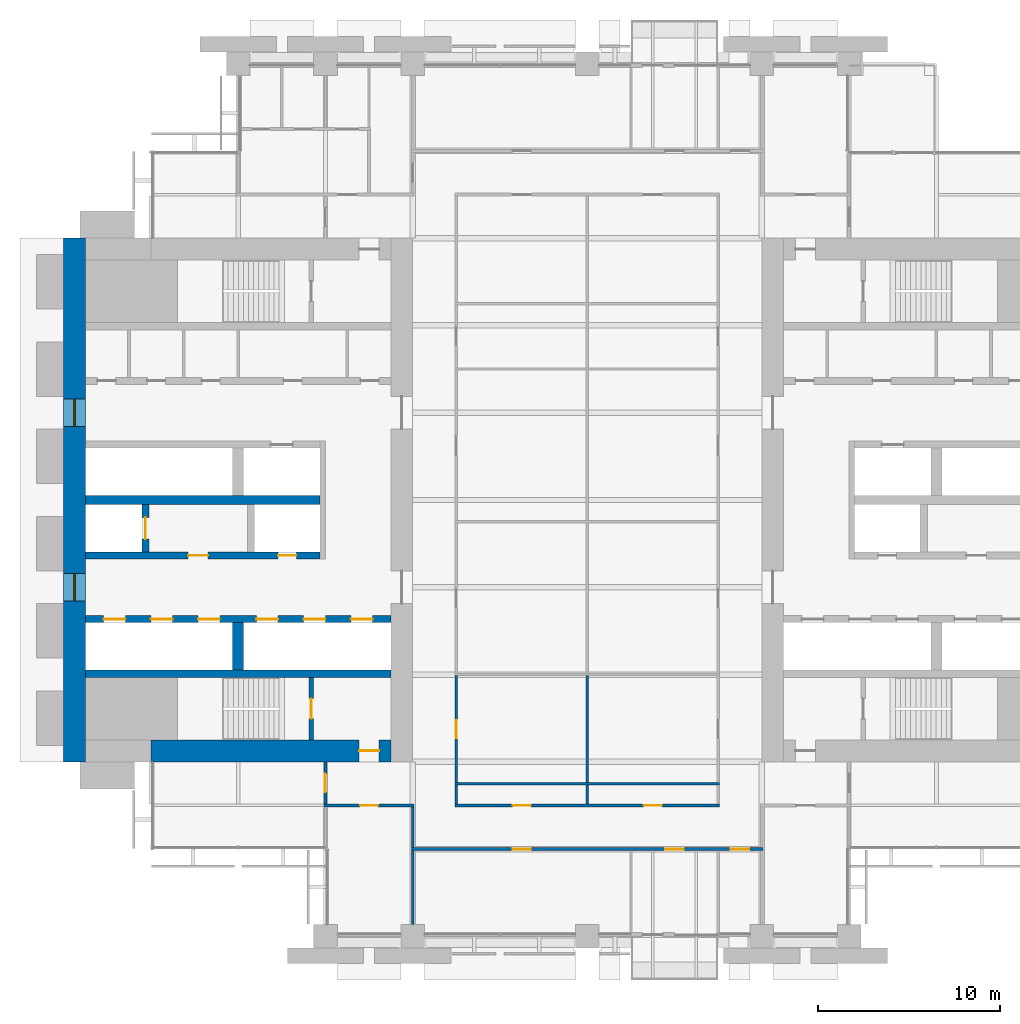
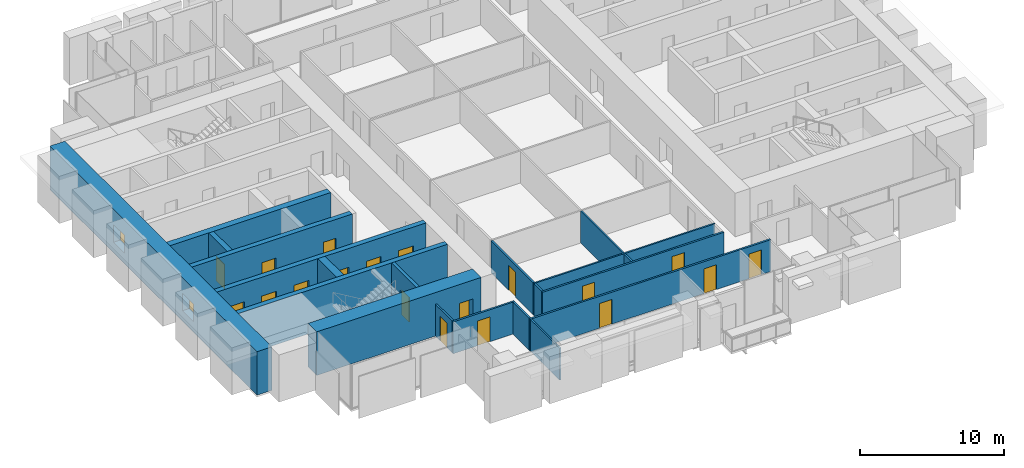
# One storey, part 9 of 15: 20 walls, 19 doors, 2 windows, 21 openings.
"""IFC4 building model written with IfcOpenShell, lengths in metres."""

from ifc_helpers import new_model, si_unit, direction, frame, frame_2d, origin, place, context, subcontext, project, spatial, rectangle, extrude, material, layer, layer_set, type_object, element, fill, save


model = new_model("IFC4")

# Units and contexts
model_context = context("Model", 3, precision=1e-05, world=origin(), true_north=direction((0.0, 1.0)))
body_context = subcontext(model_context, "Body", "Model", "MODEL_VIEW")
ifc_project = project(units=[si_unit("LENGTHUNIT", "METRE"), si_unit("AREAUNIT", "SQUARE_METRE"), si_unit("VOLUMEUNIT", "CUBIC_METRE"), si_unit("PLANEANGLEUNIT", "RADIAN"), si_unit("MASSUNIT", "GRAM", prefix="KILO")], contexts=[model_context])

# Site, building, storey
site_placement = place(None, origin())
site = spatial("IfcSite", under=ifc_project, at=site_placement, CompositionType="ELEMENT")
building_placement = place(site_placement, origin())
building = spatial("IfcBuilding", under=site, at=building_placement, Name="Baori Bourse Tower", CompositionType="ELEMENT")
storey_placement = place(building_placement, frame((0.0, 0.0, 83.0)))
storey = spatial("IfcBuildingStorey", under=building, at=storey_placement, Name="L18", CompositionType="ELEMENT", Elevation=83.0)

# Wall, openings, windows
ifc_material_1 = material(Name="Concrete f'c 70 MPa", Category="concrete")
ifc_layer_1 = layer(ifc_material_1, 1.199951171875)
ifc_layer_set_1 = layer_set([ifc_layer_1], Name="Core wall 1200 f'c 70")
wall_type_1 = type_object("IfcWallType", Name="Core wall 1200 f'c 70", PredefinedType="SHEAR", material=ifc_layer_set_1)
wall_1_placement = place(storey_placement, frame((0.60009765625, 9.60009765625, 0.0), z_axis=(0.0, 0.0, 1.0), x_axis=(0.0, 1.0, 0.0)))
wall_1 = element("IfcWall", 1, at=wall_1_placement, inside=storey, type_object=wall_type_1, Name="Core wall W01", PredefinedType="SHEAR", context=body_context, shape_type="SweptSolid", body=[
    extrude(rectangle(XDim=28.7998046875, YDim=1.199951171875, at=frame_2d((14.39990234375, 0.0))), origin(), (0.0, 0.0, 1.0), 3.699951171875),
])
opening_1_placement = place(wall_1_placement, frame((8.85009765625, 0.0, 0.89990234375)))
opening_1 = element("IfcOpeningElement", 2, at=opening_1_placement, cuts=wall_1, Name="Opening L18-KW101", PredefinedType="OPENING", context=body_context, shape_type="SweptSolid", body=[
    extrude(rectangle(XDim=1.5, YDim=1.5, at=frame_2d((0.75, 0.75))), frame((0.0, 0.60986328125, 0.0), z_axis=(0.0, -1.0, 0.0), x_axis=(1.0, 0.0, 0.0)), (0.0, 0.0, 1.0), 1.219970703125),
])
opening_2_placement = place(wall_1_placement, frame((18.449951171875, 0.0, 0.89990234375)))
opening_2 = element("IfcOpeningElement", 3, at=opening_2_placement, cuts=wall_1, Name="Opening L18-KW102", PredefinedType="OPENING", context=body_context, shape_type="SweptSolid", body=[
    extrude(rectangle(XDim=1.5, YDim=1.5, at=frame_2d((0.75, 0.75))), frame((0.0, 0.60986328125, 0.0), z_axis=(0.0, -1.0, 0.0), x_axis=(1.0, 0.0, 0.0)), (0.0, 0.0, 1.0), 1.219970703125),
])
ifc_material_2 = material(Name="Pale anodised aluminium", Category="aluminium")
window_type = type_object("IfcWindowType", Name="Lobby window 1500 x 1500", PartitioningType="SINGLE_PANEL", PredefinedType="WINDOW", material=ifc_material_2)
window_1_placement = place(opening_1_placement, origin())
window_1 = element("IfcWindow", 4, at=window_1_placement, inside=storey, type_object=window_type, Name="Outer wall window W L18 1", OverallHeight=1.5, OverallWidth=1.5, PartitioningType="SINGLE_PANEL", PredefinedType="WINDOW", context=body_context, shape_type="SweptSolid", body=[
    extrude(rectangle(XDim=1.5, YDim=1.5, at=frame_2d((0.75, 0.75))), frame((0.0, 0.030029296875, 0.0), z_axis=(0.0, -1.0, 0.0), x_axis=(1.0, 0.0, 0.0)), (0.0, 0.0, 1.0), 0.06005859375),
])
fill(opening_1, window_1)
window_2_placement = place(opening_2_placement, origin())
window_2 = element("IfcWindow", 5, at=window_2_placement, inside=storey, type_object=window_type, Name="Outer wall window W L18 2", OverallHeight=1.5, OverallWidth=1.5, PartitioningType="SINGLE_PANEL", PredefinedType="WINDOW", context=body_context, shape_type="SweptSolid", body=[
    extrude(rectangle(XDim=1.5, YDim=1.5, at=frame_2d((0.75, 0.75))), frame((0.0, 0.030029296875, 0.0), z_axis=(0.0, -1.0, 0.0), x_axis=(1.0, 0.0, 0.0)), (0.0, 0.0, 1.0), 0.06005859375),
])
fill(opening_2, window_2)

# Wall, opening, door
wall_2_placement = place(storey_placement, frame((18.0, 10.199951171875, 0.0), z_axis=(0.0, 0.0, 1.0), x_axis=(-1.0, 0.0, 0.0)))
wall_2 = element("IfcWall", 6, at=wall_2_placement, inside=storey, type_object=wall_type_1, Name="Core wall W03", PredefinedType="SHEAR", context=body_context, shape_type="SweptSolid", body=[
    extrude(rectangle(XDim=13.199951171875, YDim=1.199951171875, at=frame_2d((6.60009765625, 0.0))), origin(), (0.0, 0.0, 1.0), 3.699951171875),
])
opening_3_placement = place(wall_2_placement, frame((0.64990234375, 0.0, 0.0)))
opening_3 = element("IfcOpeningElement", 7, at=opening_3_placement, cuts=wall_2, Name="Opening L18-D102", PredefinedType="OPENING", context=body_context, shape_type="SweptSolid", body=[
    extrude(rectangle(XDim=1.10009765625, YDim=2.10009765625, at=frame_2d((0.550048828125, 1.050048828125))), frame((0.0, 0.60986328125, 0.0), z_axis=(0.0, -1.0, 0.0), x_axis=(1.0, 0.0, 0.0)), (0.0, 0.0, 1.0), 1.219970703125),
])
ifc_material_3 = material(Name="Painted steel door", Category="steel")
door_type_1 = type_object("IfcDoorType", Name="Stair door 1100", OperationType="SINGLE_SWING_LEFT", PredefinedType="DOOR", material=ifc_material_3)
door_1_placement = place(opening_3_placement, origin())
door_1 = element("IfcDoor", 8, at=door_1_placement, inside=storey, type_object=door_type_1, Name="Stair vestibule door A W L18", OperationType="SINGLE_SWING_LEFT", OverallHeight=2.10009765625, OverallWidth=1.10009765625, PredefinedType="DOOR", context=body_context, shape_type="SweptSolid", body=[
    extrude(rectangle(XDim=1.10009765625, YDim=2.10009765625, at=frame_2d((0.550048828125, 1.050048828125))), frame((0.0, 0.02490234375, 0.0), z_axis=(0.0, -1.0, 0.0), x_axis=(1.0, 0.0, 0.0)), (0.0, 0.0, 1.0), 0.050048828125),
])
fill(opening_3, door_1)

# Wall, openings, doors
ifc_material_4 = material(Name="Gypsum board partition")
ifc_layer_2 = layer(ifc_material_4, 0.14990234375)
ifc_layer_set_2 = layer_set([ifc_layer_2], Name="Corridor partition 150")
wall_type_2 = type_object("IfcWallType", Name="Corridor partition 150", PredefinedType="PARTITIONING", material=ifc_layer_set_2)
wall_3_placement = place(storey_placement, frame((19.125, 4.800048828125, 0.0), z_axis=(0.0, 0.0, 1.0), x_axis=(1.0, 0.0, 0.0)))
wall_3 = element("IfcWall", 9, at=wall_3_placement, inside=storey, type_object=wall_type_2, Name="Partition", PredefinedType="PARTITIONING", context=body_context, shape_type="SweptSolid", body=[
    extrude(rectangle(XDim=19.35009765625, YDim=0.14990234375, at=frame_2d((9.675048828125, 0.0))), origin(), (0.0, 0.0, 1.0), 2.70947265625),
])
opening_4_placement = place(wall_3_placement, frame((5.574951171875, 0.0, 0.0)))
opening_4 = element("IfcOpeningElement", 10, at=opening_4_placement, cuts=wall_3, Name="Opening L18-D01", PredefinedType="OPENING", context=body_context, shape_type="SweptSolid", body=[
    extrude(rectangle(XDim=1.0, YDim=2.10009765625, at=frame_2d((0.5, 1.050048828125))), frame((0.0, 0.0849609375, 0.0), z_axis=(0.0, -1.0, 0.0), x_axis=(1.0, 0.0, 0.0)), (0.0, 0.0, 1.0), 0.169921875),
])
opening_5_placement = place(wall_3_placement, frame((13.97509765625, 0.0, 0.0)))
opening_5 = element("IfcOpeningElement", 11, at=opening_5_placement, cuts=wall_3, Name="Opening L18-D02", PredefinedType="OPENING", context=body_context, shape_type="SweptSolid", body=[
    extrude(rectangle(XDim=1.0, YDim=2.10009765625, at=frame_2d((0.5, 1.050048828125))), frame((0.0, 0.0849609375, 0.0), z_axis=(0.0, -1.0, 0.0), x_axis=(1.0, 0.0, 0.0)), (0.0, 0.0, 1.0), 0.169921875),
])
opening_6_placement = place(wall_3_placement, frame((17.574951171875, 0.0, 0.0)))
opening_6 = element("IfcOpeningElement", 12, at=opening_6_placement, cuts=wall_3, Name="Opening L18-D03", PredefinedType="OPENING", context=body_context, shape_type="SweptSolid", body=[
    extrude(rectangle(XDim=1.0, YDim=2.10009765625, at=frame_2d((0.5, 1.050048828125))), frame((0.0, 0.0849609375, 0.0), z_axis=(0.0, -1.0, 0.0), x_axis=(1.0, 0.0, 0.0)), (0.0, 0.0, 1.0), 0.169921875),
])
ifc_material_5 = material(Name="Timber door leaf", Category="wood")
door_type_2 = type_object("IfcDoorType", Name="Door 1000 x 2100", OperationType="SINGLE_SWING_LEFT", PredefinedType="DOOR", material=ifc_material_5)
door_2_placement = place(opening_4_placement, origin())
door_2 = element("IfcDoor", 13, at=door_2_placement, inside=storey, type_object=door_type_2, Name="Door", OperationType="SINGLE_SWING_LEFT", OverallHeight=2.10009765625, OverallWidth=1.0, PredefinedType="DOOR", context=body_context, shape_type="SweptSolid", body=[
    extrude(rectangle(XDim=1.0, YDim=2.10009765625, at=frame_2d((0.5, 1.050048828125))), frame((0.0, 0.02490234375, 0.0), z_axis=(0.0, -1.0, 0.0), x_axis=(1.0, 0.0, 0.0)), (0.0, 0.0, 1.0), 0.050048828125),
])
fill(opening_4, door_2)
door_3_placement = place(opening_5_placement, origin())
door_3 = element("IfcDoor", 14, at=door_3_placement, inside=storey, type_object=door_type_2, Name="Door", OperationType="SINGLE_SWING_RIGHT", OverallHeight=2.10009765625, OverallWidth=1.0, PredefinedType="DOOR", context=body_context, shape_type="SweptSolid", body=[
    extrude(rectangle(XDim=1.0, YDim=2.10009765625, at=frame_2d((0.5, 1.050048828125))), frame((0.0, 0.02490234375, 0.0), z_axis=(0.0, -1.0, 0.0), x_axis=(1.0, 0.0, 0.0)), (0.0, 0.0, 1.0), 0.050048828125),
])
fill(opening_5, door_3)
door_4_placement = place(opening_6_placement, origin())
door_4 = element("IfcDoor", 15, at=door_4_placement, inside=storey, type_object=door_type_2, Name="Door", OperationType="SINGLE_SWING_RIGHT", OverallHeight=2.10009765625, OverallWidth=1.0, PredefinedType="DOOR", context=body_context, shape_type="SweptSolid", body=[
    extrude(rectangle(XDim=1.0, YDim=2.10009765625, at=frame_2d((0.5, 1.050048828125))), frame((0.0, 0.02490234375, 0.0), z_axis=(0.0, -1.0, 0.0), x_axis=(1.0, 0.0, 0.0)), (0.0, 0.0, 1.0), 0.050048828125),
])
fill(opening_6, door_4)

# Wall, opening, door
wall_4_placement = place(storey_placement, frame((14.324951171875, 7.199951171875, 0.0), z_axis=(0.0, 0.0, 1.0), x_axis=(1.0, 0.0, 0.0)))
wall_4 = element("IfcWall", 16, at=wall_4_placement, inside=storey, type_object=wall_type_2, Name="Partition", PredefinedType="PARTITIONING", context=body_context, shape_type="SweptSolid", body=[
    extrude(rectangle(XDim=4.949951171875, YDim=0.14990234375, at=frame_2d((2.47509765625, 0.0))), origin(), (0.0, 0.0, 1.0), 2.70947265625),
])
opening_7_placement = place(wall_4_placement, frame((1.97509765625, 0.0, 0.0)))
opening_7 = element("IfcOpeningElement", 17, at=opening_7_placement, cuts=wall_4, Name="Opening L18-D04", PredefinedType="OPENING", context=body_context, shape_type="SweptSolid", body=[
    extrude(rectangle(XDim=1.0, YDim=2.10009765625, at=frame_2d((0.5, 1.050048828125))), frame((0.0, 0.0849609375, 0.0), z_axis=(0.0, -1.0, 0.0), x_axis=(1.0, 0.0, 0.0)), (0.0, 0.0, 1.0), 0.169921875),
])
door_5_placement = place(opening_7_placement, origin())
door_5 = element("IfcDoor", 18, at=door_5_placement, inside=storey, type_object=door_type_2, Name="Door", OperationType="SINGLE_SWING_RIGHT", OverallHeight=2.10009765625, OverallWidth=1.0, PredefinedType="DOOR", context=body_context, shape_type="SweptSolid", body=[
    extrude(rectangle(XDim=1.0, YDim=2.10009765625, at=frame_2d((0.5, 1.050048828125))), frame((0.0, 0.02490234375, 0.0), z_axis=(0.0, -1.0, 0.0), x_axis=(1.0, 0.0, 0.0)), (0.0, 0.0, 1.0), 0.050048828125),
])
fill(opening_7, door_5)

# Wall, openings, doors
wall_5_placement = place(storey_placement, frame((21.52490234375, 7.199951171875, 0.0), z_axis=(0.0, 0.0, 1.0), x_axis=(1.0, 0.0, 0.0)))
wall_5 = element("IfcWall", 19, at=wall_5_placement, inside=storey, type_object=wall_type_2, Name="Partition", PredefinedType="PARTITIONING", context=body_context, shape_type="SweptSolid", body=[
    extrude(rectangle(XDim=14.550048828125, YDim=0.14990234375, at=frame_2d((7.27490234375, 0.0))), origin(), (0.0, 0.0, 1.0), 2.70947265625),
])
opening_8_placement = place(wall_5_placement, frame((3.175048828125, 0.0, 0.0)))
opening_8 = element("IfcOpeningElement", 20, at=opening_8_placement, cuts=wall_5, Name="Opening L18-D05", PredefinedType="OPENING", context=body_context, shape_type="SweptSolid", body=[
    extrude(rectangle(XDim=1.0, YDim=2.10009765625, at=frame_2d((0.5, 1.050048828125))), frame((0.0, 0.0849609375, 0.0), z_axis=(0.0, -1.0, 0.0), x_axis=(1.0, 0.0, 0.0)), (0.0, 0.0, 1.0), 0.169921875),
])
opening_9_placement = place(wall_5_placement, frame((10.375, 0.0, 0.0)))
opening_9 = element("IfcOpeningElement", 21, at=opening_9_placement, cuts=wall_5, Name="Opening L18-D06", PredefinedType="OPENING", context=body_context, shape_type="SweptSolid", body=[
    extrude(rectangle(XDim=1.0, YDim=2.10009765625, at=frame_2d((0.5, 1.050048828125))), frame((0.0, 0.0849609375, 0.0), z_axis=(0.0, -1.0, 0.0), x_axis=(1.0, 0.0, 0.0)), (0.0, 0.0, 1.0), 0.169921875),
])
door_6_placement = place(opening_8_placement, origin())
door_6 = element("IfcDoor", 22, at=door_6_placement, inside=storey, type_object=door_type_2, Name="Door", OperationType="SINGLE_SWING_RIGHT", OverallHeight=2.10009765625, OverallWidth=1.0, PredefinedType="DOOR", context=body_context, shape_type="SweptSolid", body=[
    extrude(rectangle(XDim=1.0, YDim=2.10009765625, at=frame_2d((0.5, 1.050048828125))), frame((0.0, 0.02490234375, 0.0), z_axis=(0.0, -1.0, 0.0), x_axis=(1.0, 0.0, 0.0)), (0.0, 0.0, 1.0), 0.050048828125),
])
fill(opening_8, door_6)
door_7_placement = place(opening_9_placement, origin())
door_7 = element("IfcDoor", 23, at=door_7_placement, inside=storey, type_object=door_type_2, Name="Door", OperationType="SINGLE_SWING_LEFT", OverallHeight=2.10009765625, OverallWidth=1.0, PredefinedType="DOOR", context=body_context, shape_type="SweptSolid", body=[
    extrude(rectangle(XDim=1.0, YDim=2.10009765625, at=frame_2d((0.5, 1.050048828125))), frame((0.0, 0.02490234375, 0.0), z_axis=(0.0, -1.0, 0.0), x_axis=(1.0, 0.0, 0.0)), (0.0, 0.0, 1.0), 0.050048828125),
])
fill(opening_9, door_7)

# Wall, opening, door
wall_6_placement = place(storey_placement, frame((14.39990234375, 7.27490234375, 0.0), z_axis=(0.0, 0.0, 1.0), x_axis=(0.0, 1.0, 0.0)))
wall_6 = element("IfcWall", 24, at=wall_6_placement, inside=storey, type_object=wall_type_2, Name="Partition", PredefinedType="PARTITIONING", context=body_context, shape_type="SweptSolid", body=[
    extrude(rectangle(XDim=2.3251953125, YDim=0.14990234375, at=frame_2d((1.16259765625, 0.0))), origin(), (0.0, 0.0, 1.0), 2.70947265625),
])
opening_10_placement = place(wall_6_placement, frame((0.66259765625, 0.0, 0.0)))
opening_10 = element("IfcOpeningElement", 25, at=opening_10_placement, cuts=wall_6, Name="Opening L18-D18", PredefinedType="OPENING", context=body_context, shape_type="SweptSolid", body=[
    extrude(rectangle(XDim=1.0, YDim=2.10009765625, at=frame_2d((0.5, 1.050048828125))), frame((0.0, 0.0849609375, 0.0), z_axis=(0.0, -1.0, 0.0), x_axis=(1.0, 0.0, 0.0)), (0.0, 0.0, 1.0), 0.169921875),
])
door_8_placement = place(opening_10_placement, origin())
door_8 = element("IfcDoor", 26, at=door_8_placement, inside=storey, type_object=door_type_2, Name="Door", OperationType="SINGLE_SWING_RIGHT", OverallHeight=2.10009765625, OverallWidth=1.0, PredefinedType="DOOR", context=body_context, shape_type="SweptSolid", body=[
    extrude(rectangle(XDim=1.0, YDim=2.10009765625, at=frame_2d((0.5, 1.050048828125))), frame((0.0, 0.02490234375, 0.0), z_axis=(0.0, -1.0, 0.0), x_axis=(1.0, 0.0, 0.0)), (0.0, 0.0, 1.0), 0.050048828125),
])
fill(opening_10, door_8)

# Walls
wall_7_placement = place(storey_placement, frame((19.199951171875, 4.875, 0.0), z_axis=(0.0, 0.0, 1.0), x_axis=(0.0, 1.0, 0.0)))
element("IfcWall", 27, at=wall_7_placement, inside=storey, type_object=wall_type_2, Name="Partition", PredefinedType="PARTITIONING", context=body_context, shape_type="SweptSolid", body=[
    extrude(rectangle(XDim=2.25, YDim=0.14990234375, at=frame_2d((1.125, 0.0))), origin(), (0.0, 0.0, 1.0), 2.70947265625),
])
wall_8_placement = place(storey_placement, frame((21.60009765625, 7.27490234375, 0.0), z_axis=(0.0, 0.0, 1.0), x_axis=(0.0, 1.0, 0.0)))
element("IfcWall", 28, at=wall_8_placement, inside=storey, type_object=wall_type_2, Name="Partition", PredefinedType="PARTITIONING", context=body_context, shape_type="SweptSolid", body=[
    extrude(rectangle(XDim=1.0625, YDim=0.14990234375, at=frame_2d((0.53125, 0.0))), origin(), (0.0, 0.0, 1.0), 2.70947265625),
])

# Wall, opening, door
wall_9_placement = place(storey_placement, frame((21.60009765625, 8.46240234375, 0.0), z_axis=(0.0, 0.0, 1.0), x_axis=(0.0, 1.0, 0.0)))
wall_9 = element("IfcWall", 29, at=wall_9_placement, inside=storey, type_object=wall_type_2, Name="Partition", PredefinedType="PARTITIONING", context=body_context, shape_type="SweptSolid", body=[
    extrude(rectangle(XDim=5.875, YDim=0.14990234375, at=frame_2d((2.9375, 0.0))), origin(), (0.0, 0.0, 1.0), 2.70947265625),
])
opening_11_placement = place(wall_9_placement, frame((2.4375, 0.0, 0.0)))
opening_11 = element("IfcOpeningElement", 30, at=opening_11_placement, cuts=wall_9, Name="Opening L18-D21", PredefinedType="OPENING", context=body_context, shape_type="SweptSolid", body=[
    extrude(rectangle(XDim=1.0, YDim=2.10009765625, at=frame_2d((0.5, 1.050048828125))), frame((0.0, 0.0849609375, 0.0), z_axis=(0.0, -1.0, 0.0), x_axis=(1.0, 0.0, 0.0)), (0.0, 0.0, 1.0), 0.169921875),
])
door_9_placement = place(opening_11_placement, origin())
door_9 = element("IfcDoor", 31, at=door_9_placement, inside=storey, type_object=door_type_2, Name="Door", OperationType="SINGLE_SWING_LEFT", OverallHeight=2.10009765625, OverallWidth=1.0, PredefinedType="DOOR", context=body_context, shape_type="SweptSolid", body=[
    extrude(rectangle(XDim=1.0, YDim=2.10009765625, at=frame_2d((0.5, 1.050048828125))), frame((0.0, 0.02490234375, 0.0), z_axis=(0.0, -1.0, 0.0), x_axis=(1.0, 0.0, 0.0)), (0.0, 0.0, 1.0), 0.050048828125),
])
fill(opening_11, door_9)

# Walls
ifc_material_6 = material(Name="Gypsum board partition")
ifc_layer_3 = layer(ifc_material_6, 0.125)
ifc_layer_set_3 = layer_set([ifc_layer_3], Name="Partition 125")
wall_type_3 = type_object("IfcWallType", Name="Partition 125", PredefinedType="PARTITIONING", material=ifc_layer_set_3)
wall_10_placement = place(storey_placement, frame((21.52490234375, 8.39990234375, 0.0), z_axis=(0.0, 0.0, 1.0), x_axis=(1.0, 0.0, 0.0)))
element("IfcWall", 32, at=wall_10_placement, inside=storey, type_object=wall_type_3, Name="Partition", PredefinedType="PARTITIONING", context=body_context, shape_type="SweptSolid", body=[
    extrude(rectangle(XDim=14.550048828125, YDim=0.125, at=frame_2d((7.27490234375, 0.0))), origin(), (0.0, 0.0, 1.0), 2.70947265625),
])
wall_11_placement = place(storey_placement, frame((19.199951171875, 0.64990234375, 0.0), z_axis=(0.0, 0.0, 1.0), x_axis=(0.0, 1.0, 0.0)))
element("IfcWall", 33, at=wall_11_placement, inside=storey, type_object=wall_type_3, Name="Partition", PredefinedType="PARTITIONING", context=body_context, shape_type="SweptSolid", body=[
    extrude(rectangle(XDim=4.0751953125, YDim=0.125, at=frame_2d((2.03759765625, 0.0))), origin(), (0.0, 0.0, 1.0), 2.70947265625),
])
wall_12_placement = place(storey_placement, frame((28.800048828125, 7.27490234375, 0.0), z_axis=(0.0, 0.0, 1.0), x_axis=(0.0, 1.0, 0.0)))
element("IfcWall", 34, at=wall_12_placement, inside=storey, type_object=wall_type_3, Name="Partition", PredefinedType="PARTITIONING", context=body_context, shape_type="SweptSolid", body=[
    extrude(rectangle(XDim=1.0625, YDim=0.125, at=frame_2d((0.53125, 0.0))), origin(), (0.0, 0.0, 1.0), 2.70947265625),
])
wall_13_placement = place(storey_placement, frame((28.800048828125, 8.46240234375, 0.0), z_axis=(0.0, 0.0, 1.0), x_axis=(0.0, 1.0, 0.0)))
element("IfcWall", 35, at=wall_13_placement, inside=storey, type_object=wall_type_3, Name="Partition", PredefinedType="PARTITIONING", context=body_context, shape_type="SweptSolid", body=[
    extrude(rectangle(XDim=5.875, YDim=0.125, at=frame_2d((2.9375, 0.0))), origin(), (0.0, 0.0, 1.0), 2.70947265625),
])

# Wall, opening, door
ifc_material_7 = material(Name="Concrete f'c 70 MPa", Category="concrete")
ifc_layer_4 = layer(ifc_material_7, 0.25)
ifc_layer_set_4 = layer_set([ifc_layer_4], Name="Shaft wall 250 f'c 70")
wall_type_4 = type_object("IfcWallType", Name="Shaft wall 250 f'c 70", PredefinedType="SHEAR", material=ifc_layer_set_4)
wall_14_placement = place(storey_placement, frame((13.625, 10.800048828125, 0.0), z_axis=(0.0, 0.0, 1.0), x_axis=(0.0, 1.0, 0.0)))
wall_14 = element("IfcWall", 36, at=wall_14_placement, inside=storey, type_object=wall_type_4, Name="Core wall W06", PredefinedType="SHEAR", context=body_context, shape_type="SweptSolid", body=[
    extrude(rectangle(XDim=3.449951171875, YDim=0.25, at=frame_2d((1.72509765625, 0.0))), origin(), (0.0, 0.0, 1.0), 3.699951171875),
])
opening_12_placement = place(wall_14_placement, frame((1.175048828125, 0.0, 0.0)))
opening_12 = element("IfcOpeningElement", 37, at=opening_12_placement, cuts=wall_14, Name="Opening L18-D101", PredefinedType="OPENING", context=body_context, shape_type="SweptSolid", body=[
    extrude(rectangle(XDim=1.10009765625, YDim=2.10009765625, at=frame_2d((0.550048828125, 1.050048828125))), frame((0.0, 0.135009765625, 0.0), z_axis=(0.0, -1.0, 0.0), x_axis=(1.0, 0.0, 0.0)), (0.0, 0.0, 1.0), 0.27001953125),
])
door_10_placement = place(opening_12_placement, origin())
door_10 = element("IfcDoor", 38, at=door_10_placement, inside=storey, type_object=door_type_1, Name="Stair door A W L18", OperationType="SINGLE_SWING_LEFT", OverallHeight=2.10009765625, OverallWidth=1.10009765625, PredefinedType="DOOR", context=body_context, shape_type="SweptSolid", body=[
    extrude(rectangle(XDim=1.10009765625, YDim=2.10009765625, at=frame_2d((0.550048828125, 1.050048828125))), frame((0.0, 0.02490234375, 0.0), z_axis=(0.0, -1.0, 0.0), x_axis=(1.0, 0.0, 0.0)), (0.0, 0.0, 1.0), 0.050048828125),
])
fill(opening_12, door_10)

# Wall
ifc_material_8 = material(Name="Concrete f'c 70 MPa", Category="concrete")
ifc_layer_5 = layer(ifc_material_8, 0.39990234375)
ifc_layer_set_5 = layer_set([ifc_layer_5], Name="Shaft wall 400 f'c 70")
wall_type_5 = type_object("IfcWallType", Name="Shaft wall 400 f'c 70", PredefinedType="SHEAR", material=ifc_layer_set_5)
wall_15_placement = place(storey_placement, frame((1.199951171875, 14.449951171875, 0.0), z_axis=(0.0, 0.0, 1.0), x_axis=(1.0, 0.0, 0.0)))
element("IfcWall", 39, at=wall_15_placement, inside=storey, type_object=wall_type_5, Name="Core wall W07", PredefinedType="SHEAR", context=body_context, shape_type="SweptSolid", body=[
    extrude(rectangle(XDim=16.800048828125, YDim=0.39990234375, at=frame_2d((8.39990234375, 0.0))), origin(), (0.0, 0.0, 1.0), 3.699951171875),
])

# Wall, openings, doors
wall_16_placement = place(storey_placement, frame((1.199951171875, 17.449951171875, 0.0), z_axis=(0.0, 0.0, 1.0), x_axis=(1.0, 0.0, 0.0)))
wall_16 = element("IfcWall", 40, at=wall_16_placement, inside=storey, type_object=wall_type_5, Name="Core wall W09", PredefinedType="SHEAR", context=body_context, shape_type="SweptSolid", body=[
    extrude(rectangle(XDim=16.800048828125, YDim=0.39990234375, at=frame_2d((8.39990234375, 0.0))), origin(), (0.0, 0.0, 1.0), 3.699951171875),
])
opening_13_placement = place(wall_16_placement, frame((1.0, 0.0, 0.0)))
opening_13 = element("IfcOpeningElement", 41, at=opening_13_placement, cuts=wall_16, Name="Opening L18-D114", PredefinedType="OPENING", context=body_context, shape_type="SweptSolid", body=[
    extrude(rectangle(XDim=1.199951171875, YDim=2.10009765625, at=frame_2d((0.60009765625, 1.050048828125))), frame((0.0, 0.2099609375, 0.0), z_axis=(0.0, -1.0, 0.0), x_axis=(1.0, 0.0, 0.0)), (0.0, 0.0, 1.0), 0.419921875),
])
opening_14_placement = place(wall_16_placement, frame((3.60009765625, 0.0, 0.0)))
opening_14 = element("IfcOpeningElement", 42, at=opening_14_placement, cuts=wall_16, Name="Opening L18-D115", PredefinedType="OPENING", context=body_context, shape_type="SweptSolid", body=[
    extrude(rectangle(XDim=1.199951171875, YDim=2.10009765625, at=frame_2d((0.60009765625, 1.050048828125))), frame((0.0, 0.2099609375, 0.0), z_axis=(0.0, -1.0, 0.0), x_axis=(1.0, 0.0, 0.0)), (0.0, 0.0, 1.0), 0.419921875),
])
opening_15_placement = place(wall_16_placement, frame((6.199951171875, 0.0, 0.0)))
opening_15 = element("IfcOpeningElement", 43, at=opening_15_placement, cuts=wall_16, Name="Opening L18-D116", PredefinedType="OPENING", context=body_context, shape_type="SweptSolid", body=[
    extrude(rectangle(XDim=1.199951171875, YDim=2.10009765625, at=frame_2d((0.60009765625, 1.050048828125))), frame((0.0, 0.2099609375, 0.0), z_axis=(0.0, -1.0, 0.0), x_axis=(1.0, 0.0, 0.0)), (0.0, 0.0, 1.0), 0.419921875),
])
opening_16_placement = place(wall_16_placement, frame((9.39990234375, 0.0, 0.0)))
opening_16 = element("IfcOpeningElement", 44, at=opening_16_placement, cuts=wall_16, Name="Opening L18-D117", PredefinedType="OPENING", context=body_context, shape_type="SweptSolid", body=[
    extrude(rectangle(XDim=1.199951171875, YDim=2.10009765625, at=frame_2d((0.60009765625, 1.050048828125))), frame((0.0, 0.2099609375, 0.0), z_axis=(0.0, -1.0, 0.0), x_axis=(1.0, 0.0, 0.0)), (0.0, 0.0, 1.0), 0.419921875),
])
opening_17_placement = place(wall_16_placement, frame((12.0, 0.0, 0.0)))
opening_17 = element("IfcOpeningElement", 45, at=opening_17_placement, cuts=wall_16, Name="Opening L18-D118", PredefinedType="OPENING", context=body_context, shape_type="SweptSolid", body=[
    extrude(rectangle(XDim=1.199951171875, YDim=2.10009765625, at=frame_2d((0.60009765625, 1.050048828125))), frame((0.0, 0.2099609375, 0.0), z_axis=(0.0, -1.0, 0.0), x_axis=(1.0, 0.0, 0.0)), (0.0, 0.0, 1.0), 0.419921875),
])
opening_18_placement = place(wall_16_placement, frame((14.60009765625, 0.0, 0.0)))
opening_18 = element("IfcOpeningElement", 46, at=opening_18_placement, cuts=wall_16, Name="Opening L18-D119", PredefinedType="OPENING", context=body_context, shape_type="SweptSolid", body=[
    extrude(rectangle(XDim=1.199951171875, YDim=2.10009765625, at=frame_2d((0.60009765625, 1.050048828125))), frame((0.0, 0.2099609375, 0.0), z_axis=(0.0, -1.0, 0.0), x_axis=(1.0, 0.0, 0.0)), (0.0, 0.0, 1.0), 0.419921875),
])
ifc_material_9 = material(Name="Stainless steel door", Category="steel")
door_type_3 = type_object("IfcDoorType", Name="Lift landing door", OperationType="DOUBLE_DOOR_SLIDING", PredefinedType="DOOR", material=ifc_material_9)
door_11_placement = place(opening_13_placement, origin())
door_11 = element("IfcDoor", 47, at=door_11_placement, inside=storey, type_object=door_type_3, Name="Lift landing door LR1 W L18", OperationType="DOUBLE_DOOR_SLIDING", OverallHeight=2.10009765625, OverallWidth=1.199951171875, PredefinedType="DOOR", context=body_context, shape_type="SweptSolid", body=[
    extrude(rectangle(XDim=1.199951171875, YDim=2.10009765625, at=frame_2d((0.60009765625, 1.050048828125))), frame((0.0, 0.02490234375, 0.0), z_axis=(0.0, -1.0, 0.0), x_axis=(1.0, 0.0, 0.0)), (0.0, 0.0, 1.0), 0.050048828125),
])
fill(opening_13, door_11)
door_12_placement = place(opening_14_placement, origin())
door_12 = element("IfcDoor", 48, at=door_12_placement, inside=storey, type_object=door_type_3, Name="Lift landing door LR2 W L18", OperationType="DOUBLE_DOOR_SLIDING", OverallHeight=2.10009765625, OverallWidth=1.199951171875, PredefinedType="DOOR", context=body_context, shape_type="SweptSolid", body=[
    extrude(rectangle(XDim=1.199951171875, YDim=2.10009765625, at=frame_2d((0.60009765625, 1.050048828125))), frame((0.0, 0.02490234375, 0.0), z_axis=(0.0, -1.0, 0.0), x_axis=(1.0, 0.0, 0.0)), (0.0, 0.0, 1.0), 0.050048828125),
])
fill(opening_14, door_12)
door_13_placement = place(opening_15_placement, origin())
door_13 = element("IfcDoor", 49, at=door_13_placement, inside=storey, type_object=door_type_3, Name="Lift landing door LR3 W L18", OperationType="DOUBLE_DOOR_SLIDING", OverallHeight=2.10009765625, OverallWidth=1.199951171875, PredefinedType="DOOR", context=body_context, shape_type="SweptSolid", body=[
    extrude(rectangle(XDim=1.199951171875, YDim=2.10009765625, at=frame_2d((0.60009765625, 1.050048828125))), frame((0.0, 0.02490234375, 0.0), z_axis=(0.0, -1.0, 0.0), x_axis=(1.0, 0.0, 0.0)), (0.0, 0.0, 1.0), 0.050048828125),
])
fill(opening_15, door_13)
door_14_placement = place(opening_16_placement, origin())
door_14 = element("IfcDoor", 50, at=door_14_placement, inside=storey, type_object=door_type_3, Name="Lift landing door LR4 W L18", OperationType="DOUBLE_DOOR_SLIDING", OverallHeight=2.10009765625, OverallWidth=1.199951171875, PredefinedType="DOOR", context=body_context, shape_type="SweptSolid", body=[
    extrude(rectangle(XDim=1.199951171875, YDim=2.10009765625, at=frame_2d((0.60009765625, 1.050048828125))), frame((0.0, 0.02490234375, 0.0), z_axis=(0.0, -1.0, 0.0), x_axis=(1.0, 0.0, 0.0)), (0.0, 0.0, 1.0), 0.050048828125),
])
fill(opening_16, door_14)
door_15_placement = place(opening_17_placement, origin())
door_15 = element("IfcDoor", 51, at=door_15_placement, inside=storey, type_object=door_type_3, Name="Lift landing door LR5 W L18", OperationType="DOUBLE_DOOR_SLIDING", OverallHeight=2.10009765625, OverallWidth=1.199951171875, PredefinedType="DOOR", context=body_context, shape_type="SweptSolid", body=[
    extrude(rectangle(XDim=1.199951171875, YDim=2.10009765625, at=frame_2d((0.60009765625, 1.050048828125))), frame((0.0, 0.02490234375, 0.0), z_axis=(0.0, -1.0, 0.0), x_axis=(1.0, 0.0, 0.0)), (0.0, 0.0, 1.0), 0.050048828125),
])
fill(opening_17, door_15)
door_16_placement = place(opening_18_placement, origin())
door_16 = element("IfcDoor", 52, at=door_16_placement, inside=storey, type_object=door_type_3, Name="Lift landing door LR6 W L18", OperationType="DOUBLE_DOOR_SLIDING", OverallHeight=2.10009765625, OverallWidth=1.199951171875, PredefinedType="DOOR", context=body_context, shape_type="SweptSolid", body=[
    extrude(rectangle(XDim=1.199951171875, YDim=2.10009765625, at=frame_2d((0.60009765625, 1.050048828125))), frame((0.0, 0.02490234375, 0.0), z_axis=(0.0, -1.0, 0.0), x_axis=(1.0, 0.0, 0.0)), (0.0, 0.0, 1.0), 0.050048828125),
])
fill(opening_18, door_16)

wall_17_placement = place(storey_placement, frame((1.199951171875, 20.949951171875, 0.0), z_axis=(0.0, 0.0, 1.0), x_axis=(1.0, 0.0, 0.0)))
wall_17 = element("IfcWall", 53, at=wall_17_placement, inside=storey, type_object=wall_type_5, Name="Core wall W10", PredefinedType="SHEAR", context=body_context, shape_type="SweptSolid", body=[
    extrude(rectangle(XDim=12.900146484375, YDim=0.39990234375, at=frame_2d((6.4501953125, 0.0))), origin(), (0.0, 0.0, 1.0), 3.699951171875),
])
opening_19_placement = place(wall_17_placement, frame((5.64990234375, 0.0, 0.0)))
opening_19 = element("IfcOpeningElement", 54, at=opening_19_placement, cuts=wall_17, Name="Opening L18-D105", PredefinedType="OPENING", context=body_context, shape_type="SweptSolid", body=[
    extrude(rectangle(XDim=1.10009765625, YDim=2.10009765625, at=frame_2d((0.550048828125, 1.050048828125))), frame((0.0, 0.2099609375, 0.0), z_axis=(0.0, -1.0, 0.0), x_axis=(1.0, 0.0, 0.0)), (0.0, 0.0, 1.0), 0.419921875),
])
opening_20_placement = place(wall_17_placement, frame((10.60009765625, 0.0, 0.0)))
opening_20 = element("IfcOpeningElement", 55, at=opening_20_placement, cuts=wall_17, Name="Opening L18-D106", PredefinedType="OPENING", context=body_context, shape_type="SweptSolid", body=[
    extrude(rectangle(XDim=1.0, YDim=2.10009765625, at=frame_2d((0.5, 1.050048828125))), frame((0.0, 0.2099609375, 0.0), z_axis=(0.0, -1.0, 0.0), x_axis=(1.0, 0.0, 0.0)), (0.0, 0.0, 1.0), 0.419921875),
])
ifc_material_10 = material(Name="Painted steel door", Category="steel")
door_type_4 = type_object("IfcDoorType", Name="Lobby door 1100", OperationType="SINGLE_SWING_LEFT", PredefinedType="DOOR", material=ifc_material_10)
door_17_placement = place(opening_19_placement, origin())
door_17 = element("IfcDoor", 56, at=door_17_placement, inside=storey, type_object=door_type_4, Name="Firefighting lobby door W L18", OperationType="SINGLE_SWING_LEFT", OverallHeight=2.10009765625, OverallWidth=1.10009765625, PredefinedType="DOOR", context=body_context, shape_type="SweptSolid", body=[
    extrude(rectangle(XDim=1.10009765625, YDim=2.10009765625, at=frame_2d((0.550048828125, 1.050048828125))), frame((0.0, 0.02490234375, 0.0), z_axis=(0.0, -1.0, 0.0), x_axis=(1.0, 0.0, 0.0)), (0.0, 0.0, 1.0), 0.050048828125),
])
fill(opening_19, door_17)
ifc_material_11 = material(Name="Painted steel door", Category="steel")
door_type_5 = type_object("IfcDoorType", Name="Shaft door 1000", OperationType="SINGLE_SWING_LEFT", PredefinedType="DOOR", material=ifc_material_11)
door_18_placement = place(opening_20_placement, origin())
door_18 = element("IfcDoor", 57, at=door_18_placement, inside=storey, type_object=door_type_5, Name="Riser room door W L18", OperationType="SINGLE_SWING_LEFT", OverallHeight=2.10009765625, OverallWidth=1.0, PredefinedType="DOOR", context=body_context, shape_type="SweptSolid", body=[
    extrude(rectangle(XDim=1.0, YDim=2.10009765625, at=frame_2d((0.5, 1.050048828125))), frame((0.0, 0.02490234375, 0.0), z_axis=(0.0, -1.0, 0.0), x_axis=(1.0, 0.0, 0.0)), (0.0, 0.0, 1.0), 0.050048828125),
])
fill(opening_20, door_18)

# Wall, opening, door
wall_18_placement = place(storey_placement, frame((4.5, 21.14990234375, 0.0), z_axis=(0.0, 0.0, 1.0), x_axis=(0.0, 1.0, 0.0)))
wall_18 = element("IfcWall", 58, at=wall_18_placement, inside=storey, type_object=wall_type_5, Name="Core wall W12", PredefinedType="SHEAR", context=body_context, shape_type="SweptSolid", body=[
    extrude(rectangle(XDim=2.60009765625, YDim=0.39990234375, at=frame_2d((1.300048828125, 0.0))), origin(), (0.0, 0.0, 1.0), 3.699951171875),
])
opening_21_placement = place(wall_18_placement, frame((0.699951171875, 0.0, 0.0)))
opening_21 = element("IfcOpeningElement", 59, at=opening_21_placement, cuts=wall_18, Name="Opening L18-D121", PredefinedType="OPENING", context=body_context, shape_type="SweptSolid", body=[
    extrude(rectangle(XDim=1.199951171875, YDim=2.10009765625, at=frame_2d((0.60009765625, 1.050048828125))), frame((0.0, 0.2099609375, 0.0), z_axis=(0.0, -1.0, 0.0), x_axis=(1.0, 0.0, 0.0)), (0.0, 0.0, 1.0), 0.419921875),
])
door_19_placement = place(opening_21_placement, origin())
door_19 = element("IfcDoor", 60, at=door_19_placement, inside=storey, type_object=door_type_3, Name="Lift landing door FF1 W L18", OperationType="DOUBLE_DOOR_SLIDING", OverallHeight=2.10009765625, OverallWidth=1.199951171875, PredefinedType="DOOR", context=body_context, shape_type="SweptSolid", body=[
    extrude(rectangle(XDim=1.199951171875, YDim=2.10009765625, at=frame_2d((0.60009765625, 1.050048828125))), frame((0.0, 0.02490234375, 0.0), z_axis=(0.0, -1.0, 0.0), x_axis=(1.0, 0.0, 0.0)), (0.0, 0.0, 1.0), 0.050048828125),
])
fill(opening_21, door_19)

# Walls
ifc_material_12 = material(Name="Concrete f'c 70 MPa", Category="concrete")
ifc_layer_6 = layer(ifc_material_12, 0.5)
ifc_layer_set_6 = layer_set([ifc_layer_6], Name="Shaft wall 500 f'c 70")
wall_type_6 = type_object("IfcWallType", Name="Shaft wall 500 f'c 70", PredefinedType="SHEAR", material=ifc_layer_set_6)
wall_19_placement = place(storey_placement, frame((1.199951171875, 24.0, 0.0), z_axis=(0.0, 0.0, 1.0), x_axis=(1.0, 0.0, 0.0)))
element("IfcWall", 61, at=wall_19_placement, inside=storey, type_object=wall_type_6, Name="Core wall W14", PredefinedType="SHEAR", context=body_context, shape_type="SweptSolid", body=[
    extrude(rectangle(XDim=12.900146484375, YDim=0.5, at=frame_2d((6.4501953125, 0.0))), origin(), (0.0, 0.0, 1.0), 3.699951171875),
])
ifc_material_13 = material(Name="Concrete f'c 70 MPa", Category="concrete")
ifc_layer_7 = layer(ifc_material_13, 0.60009765625)
ifc_layer_set_7 = layer_set([ifc_layer_7], Name="Shaft wall 600 f'c 70")
wall_type_7 = type_object("IfcWallType", Name="Shaft wall 600 f'c 70", PredefinedType="SHEAR", material=ifc_layer_set_7)
wall_20_placement = place(storey_placement, frame((9.60009765625, 14.64990234375, 0.0), z_axis=(0.0, 0.0, 1.0), x_axis=(0.0, 1.0, 0.0)))
element("IfcWall", 62, at=wall_20_placement, inside=storey, type_object=wall_type_7, Name="Core wall W08", PredefinedType="SHEAR", context=body_context, shape_type="SweptSolid", body=[
    extrude(rectangle(XDim=2.60009765625, YDim=0.60009765625, at=frame_2d((1.300048828125, 0.0))), origin(), (0.0, 0.0, 1.0), 3.699951171875),
])

save(model, "model.ifc")
